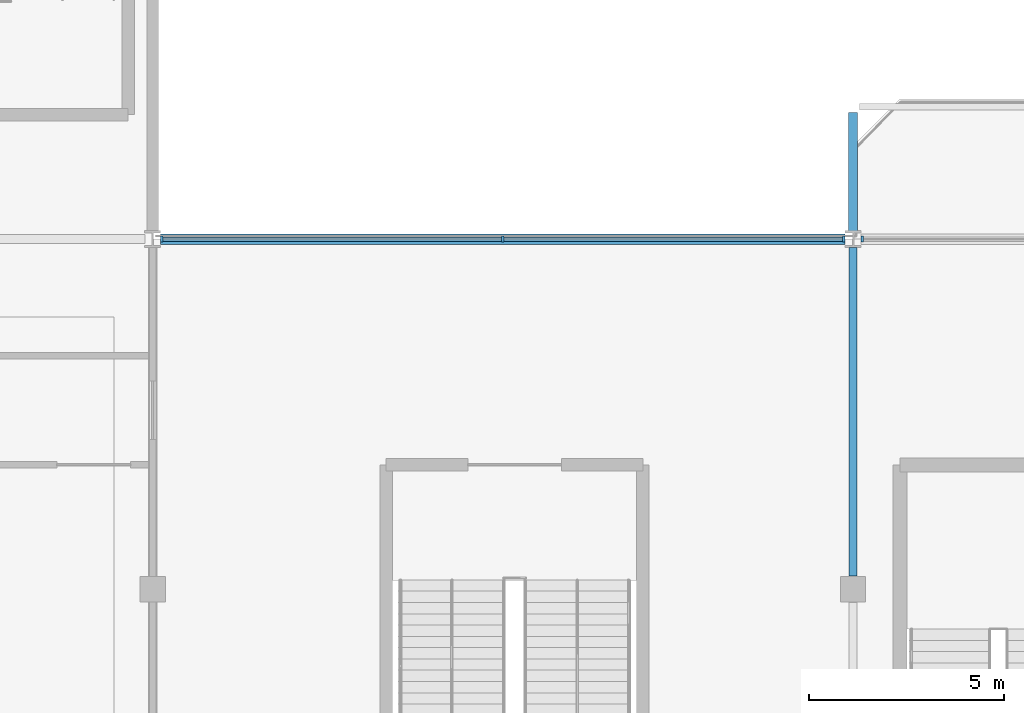
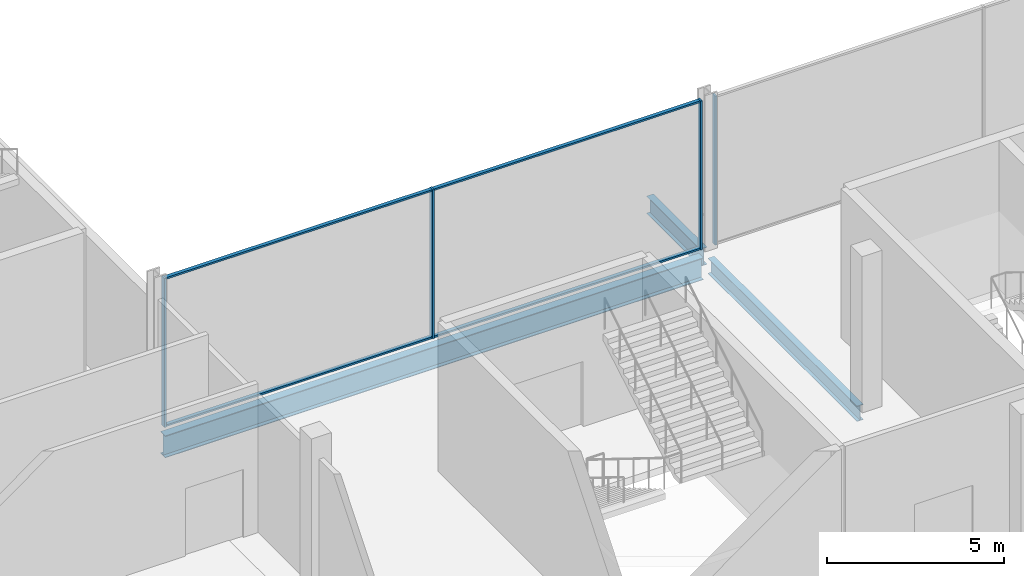
# One storey, part 17 of 113: 8 members, 3 beams, 2 elements without a shape of their own.
"""IFC4 building model written with IfcOpenShell, lengths in metres."""

from ifc_helpers import new_model, si_unit, direction, frame, origin, origin_2d, place, context, subcontext, project, spatial, rectangle, i_section, extrude, material, layer, layer_set, material_profile, profile_set, type_object, element, aggregate, save


model = new_model("IFC4")

# Units and contexts
model_context = context("Model", 3, precision=1e-05, world=origin(), true_north=direction((0.0, 1.0)))
body_context = subcontext(model_context, "Body", "Model", "MODEL_VIEW")
ifc_project = project(units=[si_unit("LENGTHUNIT", "METRE"), si_unit("AREAUNIT", "SQUARE_METRE"), si_unit("VOLUMEUNIT", "CUBIC_METRE"), si_unit("PLANEANGLEUNIT", "RADIAN"), si_unit("MASSUNIT", "GRAM", prefix="KILO")], contexts=[model_context])

# Site, building, storey
site_placement = place(None, origin())
site = spatial("IfcSite", under=ifc_project, at=site_placement, CompositionType="ELEMENT")
building_placement = place(site_placement, origin())
building = spatial("IfcBuilding", under=site, at=building_placement, Name="Kisiwana Market Hall", CompositionType="ELEMENT")
storey_placement = place(building_placement, frame((0.0, 0.0, 6.0)))
storey = spatial("IfcBuildingStorey", under=building, at=storey_placement, Name="L01", CompositionType="ELEMENT", Elevation=6.0)

# Beams
ifc_material_1 = material(Name="Steel S355", Category="steel")
ifc_material_profile_1 = material_profile(ifc_material_1, i_section(OverallWidth=0.2275390625, OverallDepth=0.6025390625, WebThickness=0.010498046875, FlangeThickness=0.014892578125, at=origin_2d()), Name="UB 610x229x101")
ifc_profile_set_1 = profile_set([ifc_material_profile_1], Name="Steel S355")
beam_type_1 = type_object("IfcBeamType", Name="BM-CANT-PROW", PredefinedType="BEAM", material=ifc_profile_set_1)
beam_1_placement = place(storey_placement, frame((63.0, 36.21337890625, -0.501220703125), z_axis=(0.0, 1.0, 0.0), x_axis=(-1.0, 0.0, 0.0)))
element("IfcBeam", 1, at=beam_1_placement, inside=storey, type_object=beam_type_1, Name="Gallery prow girder B-0579", PredefinedType="BEAM", context=body_context, shape_type="SweptSolid", body=[
    extrude(i_section(OverallWidth=0.2275390625, OverallDepth=0.6025390625, WebThickness=0.010498046875, FlangeThickness=0.014892578125, at=origin_2d()), origin(), (0.0, 0.0, 1.0), 3.03662109375),
])
ifc_material_2 = material(Name="Steel S355", Category="steel")
ifc_material_profile_2 = material_profile(ifc_material_2, i_section(OverallWidth=0.209228515625, OverallDepth=0.533203125, WebThickness=0.010009765625, FlangeThickness=0.015625, at=origin_2d()), Name="UB 533x210x92")
ifc_profile_set_2 = profile_set([ifc_material_profile_2], Name="Steel S355")
beam_type_2 = type_object("IfcBeamType", Name="BM-GIRD-UB533", PredefinedType="BEAM", material=ifc_profile_set_2)
beam_2_placement = place(storey_placement, frame((63.0, 27.345947265625, -0.5166015625), z_axis=(0.0, 1.0, 0.0), x_axis=(-1.0, 0.0, 0.0)))
element("IfcBeam", 2, at=beam_2_placement, inside=storey, type_object=beam_type_2, Name="Primary girder B-0363", PredefinedType="BEAM", context=body_context, shape_type="SweptSolid", body=[
    extrude(i_section(OverallWidth=0.209228515625, OverallDepth=0.533203125, WebThickness=0.010009765625, FlangeThickness=0.015625, at=origin_2d()), origin(), (0.0, 0.0, 1.0), 8.440673828125),
])
ifc_material_3 = material(Name="Steel S355", Category="steel")
ifc_material_profile_3 = material_profile(ifc_material_3, i_section(OverallWidth=0.2666015625, OverallDepth=0.76220703125, WebThickness=0.014404296875, FlangeThickness=0.021484375, at=origin_2d()), Name="UB 762x267x173")
ifc_profile_set_3 = profile_set([ifc_material_profile_3], Name="Steel S355")
beam_type_3 = type_object("IfcBeamType", Name="BM-GIRD-UB762", PredefinedType="BEAM", material=ifc_profile_set_3)
beam_3_placement = place(storey_placement, frame((45.201904296875, 36.0, -0.631103515625), z_axis=(1.0, 0.0, 0.0), x_axis=(0.0, 1.0, 0.0)))
element("IfcBeam", 3, at=beam_3_placement, inside=storey, type_object=beam_type_3, Name="Floor beam B-0489", PredefinedType="BEAM", context=body_context, shape_type="SweptSolid", body=[
    extrude(i_section(OverallWidth=0.2666015625, OverallDepth=0.76220703125, WebThickness=0.014404296875, FlangeThickness=0.021484375, at=origin_2d()), origin(), (0.0, 0.0, 1.0), 17.59619140625),
])

# Curtain wall, members
ifc_material_4 = material(Name="Double-glazed solar-control low-E IGU", Category="glass")
ifc_layer = layer(ifc_material_4, 0.159912109375)
ifc_layer_set = layer_set([ifc_layer], Name="CW-FC-N-8100")
curtain_wall_type = type_object("IfcCurtainWallType", Name="CW-FC-N-8100", PredefinedType="USERDEFINED", material=ifc_layer_set)
curtain_wall_1_placement = place(storey_placement, origin())
curtain_wall_1 = element("IfcCurtainWall", 4, at=curtain_wall_1_placement, inside=storey, type_object=curtain_wall_type, Name="Unitised curtain wall CW-017 (L01)", ObjectType="UNITISED CURTAIN WALL", PredefinedType="USERDEFINED")
ifc_material_5 = material(Name="Aluminium alloy 6063-T6", Category="aluminium")
ifc_material_profile_4 = material_profile(ifc_material_5, rectangle(XDim=0.06005859375, YDim=0.159912109375, at=origin_2d()), Name="ALU MULLION 60x160")
ifc_profile_set_4 = profile_set([ifc_material_profile_4], Name="Aluminium alloy 6063-T6")
member_type_1 = type_object("IfcMemberType", Name="CW-MULL-60x160", PredefinedType="MULLION", material=ifc_profile_set_4)
member_1_placement = place(storey_placement, frame((45.236083984375, 36.0, 0.0), z_axis=(0.0, 0.0, 1.0), x_axis=(1.0, 0.0, 0.0)))
member_1 = element("IfcMember", 5, at=member_1_placement, type_object=member_type_1, Name="CW-017 mullion 1", PredefinedType="MULLION", context=body_context, shape_type="SweptSolid", body=[
    extrude(rectangle(XDim=0.06005859375, YDim=0.159912109375, at=origin_2d()), origin(), (0.0, 0.0, 1.0), 5.14990234375),
])
member_2_placement = place(storey_placement, frame((54.0, 36.0, 0.0), z_axis=(0.0, 0.0, 1.0), x_axis=(1.0, 0.0, 0.0)))
member_2 = element("IfcMember", 6, at=member_2_placement, type_object=member_type_1, Name="CW-017 mullion 2", PredefinedType="MULLION", context=body_context, shape_type="SweptSolid", body=[
    extrude(rectangle(XDim=0.06005859375, YDim=0.159912109375, at=origin_2d()), origin(), (0.0, 0.0, 1.0), 5.14990234375),
])
member_3_placement = place(storey_placement, frame((62.763916015625, 36.0, 0.0), z_axis=(0.0, 0.0, 1.0), x_axis=(1.0, 0.0, 0.0)))
member_3 = element("IfcMember", 7, at=member_3_placement, type_object=member_type_1, Name="CW-017 mullion 3", PredefinedType="MULLION", context=body_context, shape_type="SweptSolid", body=[
    extrude(rectangle(XDim=0.06005859375, YDim=0.159912109375, at=origin_2d()), origin(), (0.0, 0.0, 1.0), 5.14990234375),
])

# Curtain wall, member
curtain_wall_2_placement = place(storey_placement, origin())
curtain_wall_2 = element("IfcCurtainWall", 8, at=curtain_wall_2_placement, inside=storey, type_object=curtain_wall_type, Name="Unitised curtain wall CW-018 (L01)", ObjectType="UNITISED CURTAIN WALL", PredefinedType="USERDEFINED")
member_4_placement = place(storey_placement, frame((63.236083984375, 36.0, 0.0), z_axis=(0.0, 0.0, 1.0), x_axis=(1.0, 0.0, 0.0)))
member_4 = element("IfcMember", 9, at=member_4_placement, type_object=member_type_1, Name="CW-018 mullion 1", PredefinedType="MULLION", context=body_context, shape_type="SweptSolid", body=[
    extrude(rectangle(XDim=0.06005859375, YDim=0.159912109375, at=origin_2d()), origin(), (0.0, 0.0, 1.0), 5.14990234375),
])
aggregate(curtain_wall_2, [member_4])

# Member
ifc_material_6 = material(Name="Aluminium alloy 6063-T6", Category="aluminium")
ifc_material_profile_5 = material_profile(ifc_material_6, rectangle(XDim=0.1201171875, YDim=0.06005859375, at=origin_2d()), Name="ALU TRANSOM 60x120")
ifc_profile_set_5 = profile_set([ifc_material_profile_5], Name="Aluminium alloy 6063-T6")
member_type_2 = type_object("IfcMemberType", Name="CW-TRAN-60x120", PredefinedType="USERDEFINED", material=ifc_profile_set_5)
member_5_placement = place(storey_placement, frame((45.26611328125, 36.0, 0.030029296875), z_axis=(1.0, 0.0, 0.0), x_axis=(0.0, 1.0, 0.0)))
member_5 = element("IfcMember", 10, at=member_5_placement, type_object=member_type_2, Name="CW-017 transom 1.1", ObjectType="TRANSOM", PredefinedType="USERDEFINED", context=body_context, shape_type="SweptSolid", body=[
    extrude(rectangle(XDim=0.1201171875, YDim=0.06005859375, at=origin_2d()), origin(), (0.0, 0.0, 1.0), 8.703857421875),
])

member_6_placement = place(storey_placement, frame((45.26611328125, 36.0, 5.1201171875), z_axis=(1.0, 0.0, 0.0), x_axis=(0.0, 1.0, 0.0)))
member_6 = element("IfcMember", 11, at=member_6_placement, type_object=member_type_2, Name="CW-017 transom 1.2", ObjectType="TRANSOM", PredefinedType="USERDEFINED", context=body_context, shape_type="SweptSolid", body=[
    extrude(rectangle(XDim=0.1201171875, YDim=0.06005859375, at=origin_2d()), origin(), (0.0, 0.0, 1.0), 8.703857421875),
])

member_7_placement = place(storey_placement, frame((54.030029296875, 36.0, 0.030029296875), z_axis=(1.0, 0.0, 0.0), x_axis=(0.0, 1.0, 0.0)))
member_7 = element("IfcMember", 12, at=member_7_placement, type_object=member_type_2, Name="CW-017 transom 2.1", ObjectType="TRANSOM", PredefinedType="USERDEFINED", context=body_context, shape_type="SweptSolid", body=[
    extrude(rectangle(XDim=0.1201171875, YDim=0.06005859375, at=origin_2d()), origin(), (0.0, 0.0, 1.0), 8.703857421875),
])

member_8_placement = place(storey_placement, frame((54.030029296875, 36.0, 5.1201171875), z_axis=(1.0, 0.0, 0.0), x_axis=(0.0, 1.0, 0.0)))
member_8 = element("IfcMember", 13, at=member_8_placement, type_object=member_type_2, Name="CW-017 transom 2.2", ObjectType="TRANSOM", PredefinedType="USERDEFINED", context=body_context, shape_type="SweptSolid", body=[
    extrude(rectangle(XDim=0.1201171875, YDim=0.06005859375, at=origin_2d()), origin(), (0.0, 0.0, 1.0), 8.703857421875),
])

aggregate(curtain_wall_1, [member_1, member_2, member_3, member_5, member_6, member_7, member_8])

save(model, "model.ifc")
